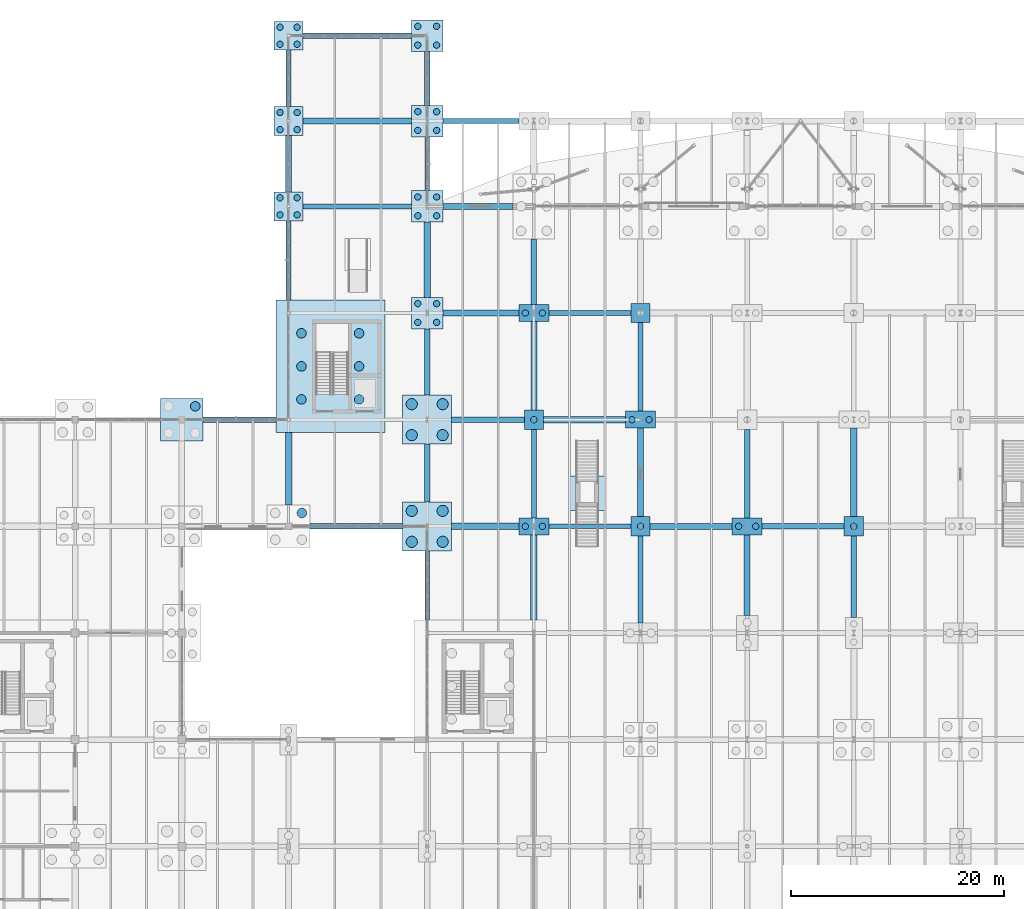
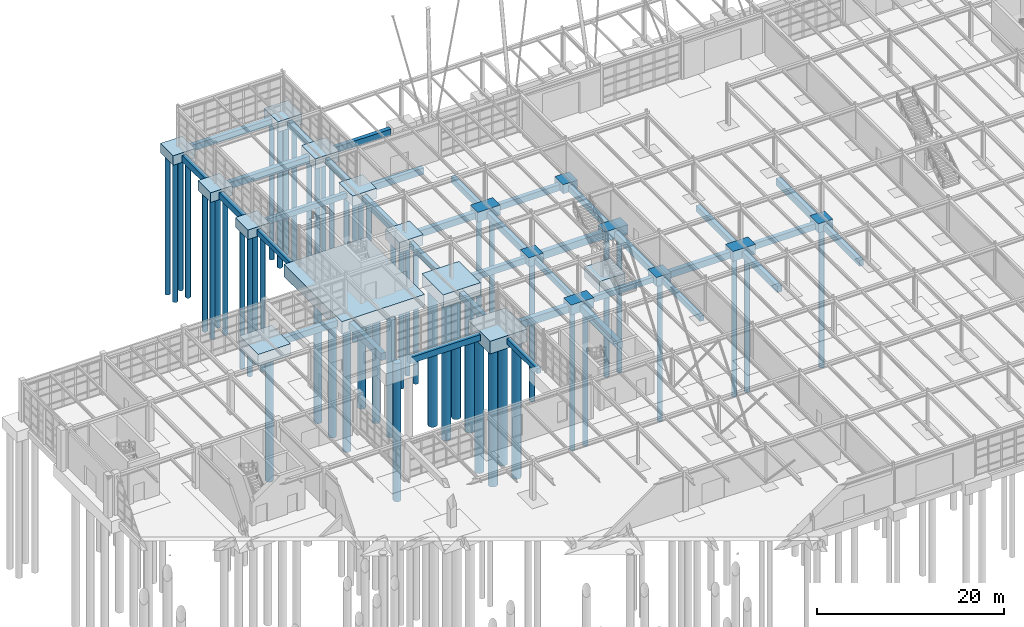
# One storey, part 5 of 145: 56 footings, 55 piles.
"""IFC4 building model written with IfcOpenShell, lengths in metres."""

from ifc_helpers import new_model, si_unit, direction, frame, origin, origin_2d, place, context, subcontext, project, spatial, rectangle, circle, extrude, material, material_profile, profile_set, type_object, element, save


model = new_model("IFC4")

# Units and contexts
model_context = context("Model", 3, precision=1e-05, world=origin(), true_north=direction((0.0, 1.0)))
body_context = subcontext(model_context, "Body", "Model", "MODEL_VIEW")
ifc_project = project(units=[si_unit("LENGTHUNIT", "METRE"), si_unit("AREAUNIT", "SQUARE_METRE"), si_unit("VOLUMEUNIT", "CUBIC_METRE"), si_unit("PLANEANGLEUNIT", "RADIAN"), si_unit("MASSUNIT", "GRAM", prefix="KILO"), si_unit("THERMODYNAMICTEMPERATUREUNIT", "KELVIN"), si_unit("POWERUNIT", "WATT")], contexts=[model_context])

# Site, building, storey
site_placement = place(None, origin())
site = spatial("IfcSite", under=ifc_project, at=site_placement, CompositionType="ELEMENT")
building_placement = place(site_placement, origin())
building = spatial("IfcBuilding", under=site, at=building_placement, Name="Korenveer Ferry Terminal", CompositionType="ELEMENT")
storey_placement = place(building_placement, origin())
storey = spatial("IfcBuildingStorey", under=building, at=storey_placement, Name="L00", CompositionType="ELEMENT", Elevation=0.0)

# Footings
ifc_material_1 = material(Name="Concrete C40/50", Category="concrete")
footing_type_1 = type_object("IfcFootingType", Name="STR-GB-01", PredefinedType="FOOTING_BEAM", material=ifc_material_1)
footing_1_placement = place(storey_placement, frame((46.35009765625, 70.0, -1.14990234375), z_axis=(0.0, 0.0, 1.0), x_axis=(1.0, 0.0, 0.0)))
element("IfcFooting", 1, at=footing_1_placement, inside=storey, type_object=footing_type_1, Name="Ground tie beam 96", PredefinedType="FOOTING_BEAM", context=body_context, shape_type="SweptSolid", body=[
    extrude(rectangle(XDim=8.699951171875, YDim=0.5, at=origin_2d()), origin(), (0.0, 0.0, 1.0), 0.800048828125),
])
footing_2_placement = place(storey_placement, frame((88.25, 70.0, -1.14990234375), z_axis=(0.0, 0.0, 1.0), x_axis=(1.0, 0.0, 0.0)))
element("IfcFooting", 2, at=footing_2_placement, inside=storey, type_object=footing_type_1, Name="Ground tie beam 100", PredefinedType="FOOTING_BEAM", context=body_context, shape_type="SweptSolid", body=[
    extrude(rectangle(XDim=7.699951171875, YDim=0.5, at=origin_2d()), origin(), (0.0, 0.0, 1.0), 0.800048828125),
])
footing_3_placement = place(storey_placement, frame((58.699951171875, 80.0, -1.14990234375), z_axis=(0.0, 0.0, 1.0), x_axis=(1.0, 0.0, 0.0)))
element("IfcFooting", 3, at=footing_3_placement, inside=storey, type_object=footing_type_1, Name="Ground tie beam 112", PredefinedType="FOOTING_BEAM", context=body_context, shape_type="SweptSolid", body=[
    extrude(rectangle(XDim=6.800048828125, YDim=0.5, at=origin_2d()), origin(), (0.0, 0.0, 1.0), 0.800048828125),
])
footing_4_placement = place(storey_placement, frame((68.25, 90.0, -1.14990234375), z_axis=(0.0, 0.0, 1.0), x_axis=(1.0, 0.0, 0.0)))
element("IfcFooting", 4, at=footing_4_placement, inside=storey, type_object=footing_type_1, Name="Ground tie beam 124", PredefinedType="FOOTING_BEAM", context=body_context, shape_type="SweptSolid", body=[
    extrude(rectangle(XDim=7.699951171875, YDim=0.5, at=origin_2d()), origin(), (0.0, 0.0, 1.0), 0.800048828125),
])
footing_5_placement = place(storey_placement, frame((58.03759765625, 108.0, -1.14990234375), z_axis=(0.0, 0.0, 1.0), x_axis=(1.0, 0.0, 0.0)))
element("IfcFooting", 5, at=footing_5_placement, inside=storey, type_object=footing_type_1, Name="Ground tie beam 140", PredefinedType="FOOTING_BEAM", context=body_context, shape_type="SweptSolid", body=[
    extrude(rectangle(XDim=7.125, YDim=0.5, at=origin_2d()), origin(), (0.0, 0.0, 1.0), 0.800048828125),
])
footing_6_placement = place(storey_placement, frame((46.4375, 116.0, -1.14990234375), z_axis=(0.0, 0.0, 1.0), x_axis=(1.0, 0.0, 0.0)))
element("IfcFooting", 6, at=footing_6_placement, inside=storey, type_object=footing_type_1, Name="Ground tie beam 148", PredefinedType="FOOTING_BEAM", context=body_context, shape_type="SweptSolid", body=[
    extrude(rectangle(XDim=10.175048828125, YDim=0.5, at=origin_2d()), origin(), (0.0, 0.0, 1.0), 0.800048828125),
])
footing_7_placement = place(storey_placement, frame((40.0, 112.0, -1.14990234375), z_axis=(0.0, 0.0, 1.0), x_axis=(1.0, 0.0, 0.0)))
element("IfcFooting", 7, at=footing_7_placement, inside=storey, type_object=footing_type_1, Name="Ground tie beam 184", PredefinedType="FOOTING_BEAM", context=body_context, shape_type="SweptSolid", body=[
    extrude(rectangle(XDim=0.5, YDim=5.300048828125, at=origin_2d()), origin(), (0.0, 0.0, 1.0), 0.800048828125),
])
footing_8_placement = place(storey_placement, frame((53.0, 85.41259765625, -1.14990234375), z_axis=(0.0, 0.0, 1.0), x_axis=(1.0, 0.0, 0.0)))
element("IfcFooting", 8, at=footing_8_placement, inside=storey, type_object=footing_type_1, Name="Ground tie beam 192", PredefinedType="FOOTING_BEAM", context=body_context, shape_type="SweptSolid", body=[
    extrude(rectangle(XDim=0.5, YDim=6.22509765625, at=origin_2d()), origin(), (0.0, 0.0, 1.0), 0.800048828125),
])
footing_9_placement = place(storey_placement, frame((63.0, 93.875, -1.14990234375), z_axis=(0.0, 0.0, 1.0), x_axis=(1.0, 0.0, 0.0)))
element("IfcFooting", 9, at=footing_9_placement, inside=storey, type_object=footing_type_1, Name="Ground tie beam 204", PredefinedType="FOOTING_BEAM", context=body_context, shape_type="SweptSolid", body=[
    extrude(rectangle(XDim=0.5, YDim=6.14990234375, at=origin_2d()), origin(), (0.0, 0.0, 1.0), 0.800048828125),
])
for number, where, z_axis, x_axis, name in (
    (10, (73.0, 84.949951171875, -1.14990234375), (0.0, 0.0, 1.0), (1.0, 0.0, 0.0), "Ground tie beam 212"),
    (11, (83.0, 74.949951171875, -1.14990234375), (0.0, 0.0, 1.0), (1.0, 0.0, 0.0), "Ground tie beam 220"),
):
    element("IfcFooting", number, at=place(storey_placement, frame(where, z_axis=z_axis, x_axis=x_axis)), inside=storey, type_object=footing_type_1, Name=name, PredefinedType="FOOTING_BEAM", context=body_context, shape_type="SweptSolid", body=[
        extrude(rectangle(XDim=0.5, YDim=8.300048828125, at=origin_2d()), origin(), (0.0, 0.0, 1.0), 0.800048828125),
    ])
footing_10_placement = place(storey_placement, frame((93.0, 65.27490234375, -1.14990234375), z_axis=(0.0, 0.0, 1.0), x_axis=(1.0, 0.0, 0.0)))
element("IfcFooting", 12, at=footing_10_placement, inside=storey, type_object=footing_type_1, Name="Ground tie beam 228", PredefinedType="FOOTING_BEAM", context=body_context, shape_type="SweptSolid", body=[
    extrude(rectangle(XDim=0.5, YDim=7.64990234375, at=origin_2d()), origin(), (0.0, 0.0, 1.0), 0.800048828125),
])
footing_type_2 = type_object("IfcFootingType", Name="STR-GB-02", PredefinedType="FOOTING_BEAM", material=ifc_material_1)
footing_11_placement = place(storey_placement, frame((58.449951171875, 70.0, -1.2998046875), z_axis=(0.0, 0.0, 1.0), x_axis=(1.0, 0.0, 0.0)))
element("IfcFooting", 13, at=footing_11_placement, inside=storey, type_object=footing_type_2, Name="Ground tie beam 97", PredefinedType="FOOTING_BEAM", context=body_context, shape_type="SweptSolid", body=[
    extrude(rectangle(XDim=6.300048828125, YDim=0.60009765625, at=origin_2d()), origin(), (0.0, 0.0, 1.0), 0.949951171875),
])
footing_12_placement = place(storey_placement, frame((67.75, 80.0, -1.2998046875), z_axis=(0.0, 0.0, 1.0), x_axis=(1.0, 0.0, 0.0)))
element("IfcFooting", 14, at=footing_12_placement, inside=storey, type_object=footing_type_2, Name="Ground tie beam 113", PredefinedType="FOOTING_BEAM", context=body_context, shape_type="SweptSolid", body=[
    extrude(rectangle(XDim=7.699951171875, YDim=0.60009765625, at=origin_2d()), origin(), (0.0, 0.0, 1.0), 0.949951171875),
])
footing_13_placement = place(storey_placement, frame((40.0, 75.39990234375, -1.2998046875), z_axis=(0.0, 0.0, 1.0), x_axis=(1.0, 0.0, 0.0)))
element("IfcFooting", 15, at=footing_13_placement, inside=storey, type_object=footing_type_2, Name="Ground tie beam 181", PredefinedType="FOOTING_BEAM", context=body_context, shape_type="SweptSolid", body=[
    extrude(rectangle(XDim=0.60009765625, YDim=6.800048828125, at=origin_2d()), origin(), (0.0, 0.0, 1.0), 0.949951171875),
])
footing_14_placement = place(storey_placement, frame((53.0, 95.0, -1.2998046875), z_axis=(0.0, 0.0, 1.0), x_axis=(1.0, 0.0, 0.0)))
element("IfcFooting", 16, at=footing_14_placement, inside=storey, type_object=footing_type_2, Name="Ground tie beam 193", PredefinedType="FOOTING_BEAM", context=body_context, shape_type="SweptSolid", body=[
    extrude(rectangle(XDim=0.60009765625, YDim=7.050048828125, at=origin_2d()), origin(), (0.0, 0.0, 1.0), 0.949951171875),
])
footing_15_placement = place(storey_placement, frame((63.0, 65.199951171875, -1.2998046875), z_axis=(0.0, 0.0, 1.0), x_axis=(1.0, 0.0, 0.0)))
element("IfcFooting", 17, at=footing_15_placement, inside=storey, type_object=footing_type_2, Name="Ground tie beam 201", PredefinedType="FOOTING_BEAM", context=body_context, shape_type="SweptSolid", body=[
    extrude(rectangle(XDim=0.60009765625, YDim=8.0, at=origin_2d()), origin(), (0.0, 0.0, 1.0), 0.949951171875),
])
footing_16_placement = place(storey_placement, frame((93.0, 75.050048828125, -1.2998046875), z_axis=(0.0, 0.0, 1.0), x_axis=(1.0, 0.0, 0.0)))
element("IfcFooting", 18, at=footing_16_placement, inside=storey, type_object=footing_type_2, Name="Ground tie beam 229", PredefinedType="FOOTING_BEAM", context=body_context, shape_type="SweptSolid", body=[
    extrude(rectangle(XDim=0.60009765625, YDim=8.300048828125, at=origin_2d()), origin(), (0.0, 0.0, 1.0), 0.949951171875),
])
footing_type_3 = type_object("IfcFootingType", Name="STR-GB-03", PredefinedType="FOOTING_BEAM", material=ifc_material_1)
footing_17_placement = place(storey_placement, frame((68.25, 70.0, -1.0498046875), z_axis=(0.0, 0.0, 1.0), x_axis=(1.0, 0.0, 0.0)))
element("IfcFooting", 19, at=footing_17_placement, inside=storey, type_object=footing_type_3, Name="Ground tie beam 98", PredefinedType="FOOTING_BEAM", context=body_context, shape_type="SweptSolid", body=[
    extrude(rectangle(XDim=7.699951171875, YDim=0.449951171875, at=origin_2d()), origin(), (0.0, 0.0, 1.0), 0.699951171875),
])
footing_18_placement = place(storey_placement, frame((46.4375, 100.0, -1.0498046875), z_axis=(0.0, 0.0, 1.0), x_axis=(1.0, 0.0, 0.0)))
element("IfcFooting", 20, at=footing_18_placement, inside=storey, type_object=footing_type_3, Name="Ground tie beam 130", PredefinedType="FOOTING_BEAM", context=body_context, shape_type="SweptSolid", body=[
    extrude(rectangle(XDim=10.175048828125, YDim=0.449951171875, at=origin_2d()), origin(), (0.0, 0.0, 1.0), 0.699951171875),
])
footing_19_placement = place(storey_placement, frame((40.0, 94.925048828125, -1.0498046875), z_axis=(0.0, 0.0, 1.0), x_axis=(1.0, 0.0, 0.0)))
element("IfcFooting", 21, at=footing_19_placement, inside=storey, type_object=footing_type_3, Name="Ground tie beam 182", PredefinedType="FOOTING_BEAM", context=body_context, shape_type="SweptSolid", body=[
    extrude(rectangle(XDim=0.449951171875, YDim=7.449951171875, at=origin_2d()), origin(), (0.0, 0.0, 1.0), 0.699951171875),
])
footing_20_placement = place(storey_placement, frame((53.0, 64.449951171875, -1.0498046875), z_axis=(0.0, 0.0, 1.0), x_axis=(1.0, 0.0, 0.0)))
element("IfcFooting", 22, at=footing_20_placement, inside=storey, type_object=footing_type_3, Name="Ground tie beam 190", PredefinedType="FOOTING_BEAM", context=body_context, shape_type="SweptSolid", body=[
    extrude(rectangle(XDim=0.449951171875, YDim=6.5, at=origin_2d()), origin(), (0.0, 0.0, 1.0), 0.699951171875),
])
footing_21_placement = place(storey_placement, frame((53.0, 104.0, -1.0498046875), z_axis=(0.0, 0.0, 1.0), x_axis=(1.0, 0.0, 0.0)))
element("IfcFooting", 23, at=footing_21_placement, inside=storey, type_object=footing_type_3, Name="Ground tie beam 194", PredefinedType="FOOTING_BEAM", context=body_context, shape_type="SweptSolid", body=[
    extrude(rectangle(XDim=0.449951171875, YDim=5.050048828125, at=origin_2d()), origin(), (0.0, 0.0, 1.0), 0.699951171875),
])
footing_22_placement = place(storey_placement, frame((63.0, 74.949951171875, -1.0498046875), z_axis=(0.0, 0.0, 1.0), x_axis=(1.0, 0.0, 0.0)))
element("IfcFooting", 24, at=footing_22_placement, inside=storey, type_object=footing_type_3, Name="Ground tie beam 202", PredefinedType="FOOTING_BEAM", context=body_context, shape_type="SweptSolid", body=[
    extrude(rectangle(XDim=0.449951171875, YDim=8.300048828125, at=origin_2d()), origin(), (0.0, 0.0, 1.0), 0.699951171875),
])
footing_23_placement = place(storey_placement, frame((73.0, 65.02490234375, -1.0498046875), z_axis=(0.0, 0.0, 1.0), x_axis=(1.0, 0.0, 0.0)))
element("IfcFooting", 25, at=footing_23_placement, inside=storey, type_object=footing_type_3, Name="Ground tie beam 210", PredefinedType="FOOTING_BEAM", context=body_context, shape_type="SweptSolid", body=[
    extrude(rectangle(XDim=0.449951171875, YDim=8.14990234375, at=origin_2d()), origin(), (0.0, 0.0, 1.0), 0.699951171875),
])
footing_type_4 = type_object("IfcFootingType", Name="STR-GB-04", PredefinedType="FOOTING_BEAM", material=ifc_material_1)
footing_24_placement = place(storey_placement, frame((77.75, 70.0, -1.199951171875), z_axis=(0.0, 0.0, 1.0), x_axis=(1.0, 0.0, 0.0)))
element("IfcFooting", 26, at=footing_24_placement, inside=storey, type_object=footing_type_4, Name="Ground tie beam 99", PredefinedType="FOOTING_BEAM", context=body_context, shape_type="SweptSolid", body=[
    extrude(rectangle(XDim=7.699951171875, YDim=0.550048828125, at=origin_2d()), origin(), (0.0, 0.0, 1.0), 0.85009765625),
])
footing_25_placement = place(storey_placement, frame((35.39990234375, 80.0, -1.199951171875), z_axis=(0.0, 0.0, 1.0), x_axis=(1.0, 0.0, 0.0)))
element("IfcFooting", 27, at=footing_25_placement, inside=storey, type_object=footing_type_4, Name="Ground tie beam 111", PredefinedType="FOOTING_BEAM", context=body_context, shape_type="SweptSolid", body=[
    extrude(rectangle(XDim=6.800048828125, YDim=0.550048828125, at=origin_2d()), origin(), (0.0, 0.0, 1.0), 0.85009765625),
])
footing_26_placement = place(storey_placement, frame((58.03759765625, 90.0, -1.199951171875), z_axis=(0.0, 0.0, 1.0), x_axis=(1.0, 0.0, 0.0)))
element("IfcFooting", 28, at=footing_26_placement, inside=storey, type_object=footing_type_4, Name="Ground tie beam 123", PredefinedType="FOOTING_BEAM", context=body_context, shape_type="SweptSolid", body=[
    extrude(rectangle(XDim=7.125, YDim=0.550048828125, at=origin_2d()), origin(), (0.0, 0.0, 1.0), 0.85009765625),
])
footing_27_placement = place(storey_placement, frame((57.762451171875, 100.0, -1.199951171875), z_axis=(0.0, 0.0, 1.0), x_axis=(1.0, 0.0, 0.0)))
element("IfcFooting", 29, at=footing_27_placement, inside=storey, type_object=footing_type_4, Name="Ground tie beam 131", PredefinedType="FOOTING_BEAM", context=body_context, shape_type="SweptSolid", body=[
    extrude(rectangle(XDim=6.574951171875, YDim=0.550048828125, at=origin_2d()), origin(), (0.0, 0.0, 1.0), 0.85009765625),
])
footing_28_placement = place(storey_placement, frame((46.4375, 108.0, -1.199951171875), z_axis=(0.0, 0.0, 1.0), x_axis=(1.0, 0.0, 0.0)))
element("IfcFooting", 30, at=footing_28_placement, inside=storey, type_object=footing_type_4, Name="Ground tie beam 139", PredefinedType="FOOTING_BEAM", context=body_context, shape_type="SweptSolid", body=[
    extrude(rectangle(XDim=10.175048828125, YDim=0.550048828125, at=origin_2d()), origin(), (0.0, 0.0, 1.0), 0.85009765625),
])
footing_29_placement = place(storey_placement, frame((40.0, 104.0, -1.199951171875), z_axis=(0.0, 0.0, 1.0), x_axis=(1.0, 0.0, 0.0)))
element("IfcFooting", 31, at=footing_29_placement, inside=storey, type_object=footing_type_4, Name="Ground tie beam 183", PredefinedType="FOOTING_BEAM", context=body_context, shape_type="SweptSolid", body=[
    extrude(rectangle(XDim=0.550048828125, YDim=5.300048828125, at=origin_2d()), origin(), (0.0, 0.0, 1.0), 0.85009765625),
])
footing_30_placement = place(storey_placement, frame((53.0, 75.0, -1.199951171875), z_axis=(0.0, 0.0, 1.0), x_axis=(1.0, 0.0, 0.0)))
element("IfcFooting", 32, at=footing_30_placement, inside=storey, type_object=footing_type_4, Name="Ground tie beam 191", PredefinedType="FOOTING_BEAM", context=body_context, shape_type="SweptSolid", body=[
    extrude(rectangle(XDim=0.550048828125, YDim=5.39990234375, at=origin_2d()), origin(), (0.0, 0.0, 1.0), 0.85009765625),
])
footing_31_placement = place(storey_placement, frame((53.0, 112.0, -1.199951171875), z_axis=(0.0, 0.0, 1.0), x_axis=(1.0, 0.0, 0.0)))
element("IfcFooting", 33, at=footing_31_placement, inside=storey, type_object=footing_type_4, Name="Ground tie beam 195", PredefinedType="FOOTING_BEAM", context=body_context, shape_type="SweptSolid", body=[
    extrude(rectangle(XDim=0.550048828125, YDim=5.050048828125, at=origin_2d()), origin(), (0.0, 0.0, 1.0), 0.85009765625),
])
for number, where, z_axis, x_axis, name in (
    (34, (63.0, 85.050048828125, -1.199951171875), (0.0, 0.0, 1.0), (1.0, 0.0, 0.0), "Ground tie beam 203"),
    (35, (73.0, 75.050048828125, -1.199951171875), (0.0, 0.0, 1.0), (1.0, 0.0, 0.0), "Ground tie beam 211"),
):
    element("IfcFooting", number, at=place(storey_placement, frame(where, z_axis=z_axis, x_axis=x_axis)), inside=storey, type_object=footing_type_4, Name=name, PredefinedType="FOOTING_BEAM", context=body_context, shape_type="SweptSolid", body=[
        extrude(rectangle(XDim=0.550048828125, YDim=8.300048828125, at=origin_2d()), origin(), (0.0, 0.0, 1.0), 0.85009765625),
    ])
footing_32_placement = place(storey_placement, frame((83.0, 65.425048828125, -1.199951171875), z_axis=(0.0, 0.0, 1.0), x_axis=(1.0, 0.0, 0.0)))
element("IfcFooting", 36, at=footing_32_placement, inside=storey, type_object=footing_type_4, Name="Ground tie beam 219", PredefinedType="FOOTING_BEAM", context=body_context, shape_type="SweptSolid", body=[
    extrude(rectangle(XDim=0.550048828125, YDim=7.550048828125, at=origin_2d()), origin(), (0.0, 0.0, 1.0), 0.85009765625),
])
ifc_material_2 = material(Name="Concrete C45/55", Category="concrete")
footing_type_5 = type_object("IfcFootingType", Name="STR-PC-01", PredefinedType="PILE_CAP", material=ifc_material_2)
for number, where, z_axis, x_axis, name in (
    (37, (63.0, 80.0, -1.2001953125), (0.0, 0.0, 1.0), (1.0, 0.0, 0.0), "Pile cap PC-01 at (63,80)"),
    (38, (73.0, 70.0, -1.2001953125), (0.0, 0.0, 1.0), (1.0, 0.0, 0.0), "Pile cap PC-01 at (73,70)"),
    (39, (73.0, 90.0, -1.2001953125), (0.0, 0.0, 1.0), (1.0, 0.0, 0.0), "Pile cap PC-01 at (73,90)"),
    (40, (93.0, 70.0, -1.2001953125), (0.0, 0.0, 1.0), (1.0, 0.0, 0.0), "Pile cap PC-01 at (93,70)"),
):
    element("IfcFooting", number, at=place(storey_placement, frame(where, z_axis=z_axis, x_axis=x_axis)), inside=storey, type_object=footing_type_5, Name=name, PredefinedType="PILE_CAP", context=body_context, shape_type="SweptSolid", body=[
        extrude(rectangle(XDim=1.800048828125, YDim=1.800048828125, at=origin_2d()), origin(), (0.0, 0.0, 1.0), 1.199951171875),
    ])
footing_type_6 = type_object("IfcFootingType", Name="STR-PC-02", PredefinedType="PILE_CAP", material=ifc_material_2)
for number, where, z_axis, x_axis, name in (
    (41, (63.0, 70.0, -1.2998046875), (0.0, 0.0, 1.0), (1.0, 0.0, 0.0), "Pile cap PC-02 at (63,70)"),
    (42, (63.0, 90.0, -1.2998046875), (0.0, 0.0, 1.0), (1.0, 0.0, 0.0), "Pile cap PC-02 at (63,90)"),
    (43, (73.0, 80.0, -1.2998046875), (0.0, 0.0, 1.0), (1.0, 0.0, 0.0), "Pile cap PC-02 at (73,80)"),
    (44, (83.0, 70.0, -1.2998046875), (0.0, 0.0, 1.0), (1.0, 0.0, 0.0), "Pile cap PC-02 at (83,70)"),
):
    element("IfcFooting", number, at=place(storey_placement, frame(where, z_axis=z_axis, x_axis=x_axis)), inside=storey, type_object=footing_type_6, Name=name, PredefinedType="PILE_CAP", context=body_context, shape_type="SweptSolid", body=[
        extrude(rectangle(XDim=2.800048828125, YDim=1.60009765625, at=origin_2d()), origin(), (0.0, 0.0, 1.0), 1.300048828125),
    ])
footing_type_7 = type_object("IfcFootingType", Name="STR-PC-06", PredefinedType="PILE_CAP", material=ifc_material_2)
footing_33_placement = place(storey_placement, frame((68.0, 73.10009765625, -1.39990234375), z_axis=(0.0, 0.0, 1.0), x_axis=(1.0, 0.0, 0.0)))
element("IfcFooting", 45, at=footing_33_placement, inside=storey, type_object=footing_type_7, Name="Feature stair landing cap 1", PredefinedType="PILE_CAP", context=body_context, shape_type="SweptSolid", body=[
    extrude(rectangle(XDim=3.199951171875, YDim=3.199951171875, at=origin_2d()), origin(), (0.0, 0.0, 1.0), 1.39990234375),
])
footing_type_8 = type_object("IfcFootingType", Name="STR-PC-09", PredefinedType="PILE_CAP", material=ifc_material_2)
footing_34_placement = place(storey_placement, frame((30.0, 80.0, -1.5498046875), z_axis=(0.0, 0.0, 1.0), x_axis=(1.0, 0.0, 0.0)))
element("IfcFooting", 46, at=footing_34_placement, inside=storey, type_object=footing_type_8, Name="Pile cap PC-09 at (30,80)", PredefinedType="PILE_CAP", context=body_context, shape_type="SweptSolid", body=[
    extrude(rectangle(XDim=4.0, YDim=4.0, at=origin_2d()), origin(), (0.0, 0.0, 1.0), 1.550048828125),
])
footing_type_9 = type_object("IfcFootingType", Name="STR-PC-15", PredefinedType="PILE_CAP", material=ifc_material_2)
for number, where, z_axis, x_axis, name in (
    (47, (53.0, 70.0, -1.64990234375), (0.0, 0.0, 1.0), (1.0, 0.0, 0.0), "Pile cap PC-15 at (53,70)"),
    (48, (53.0, 80.0, -1.64990234375), (0.0, 0.0, 1.0), (1.0, 0.0, 0.0), "Pile cap PC-15 at (53,80)"),
):
    element("IfcFooting", number, at=place(storey_placement, frame(where, z_axis=z_axis, x_axis=x_axis)), inside=storey, type_object=footing_type_9, Name=name, PredefinedType="PILE_CAP", context=body_context, shape_type="SweptSolid", body=[
        extrude(rectangle(XDim=4.60009765625, YDim=4.60009765625, at=origin_2d()), origin(), (0.0, 0.0, 1.0), 1.64990234375),
    ])
footing_type_10 = type_object("IfcFootingType", Name="STR-PC-17", PredefinedType="PILE_CAP", material=ifc_material_2)
for number, where, z_axis, x_axis, name in (
    (49, (40.0, 100.0, -1.25), (0.0, 0.0, 1.0), (1.0, 0.0, 0.0), "Pile cap PC-17 at (40,100)"),
    (50, (40.0, 108.0, -1.25), (0.0, 0.0, 1.0), (1.0, 0.0, 0.0), "Pile cap PC-17 at (40,108)"),
    (51, (40.0, 116.0, -1.25), (0.0, 0.0, 1.0), (1.0, 0.0, 0.0), "Pile cap PC-17 at (40,116)"),
):
    element("IfcFooting", number, at=place(storey_placement, frame(where, z_axis=z_axis, x_axis=x_axis)), inside=storey, type_object=footing_type_10, Name=name, PredefinedType="PILE_CAP", context=body_context, shape_type="SweptSolid", body=[
        extrude(rectangle(XDim=2.699951171875, YDim=2.699951171875, at=origin_2d()), origin(), (0.0, 0.0, 1.0), 1.25),
    ])
footing_type_11 = type_object("IfcFootingType", Name="STR-PC-18", PredefinedType="PILE_CAP", material=ifc_material_2)
for number, where, z_axis, x_axis, name in (
    (52, (53.0, 90.0, -1.35009765625), (0.0, 0.0, 1.0), (1.0, 0.0, 0.0), "Pile cap PC-18 at (53,90)"),
    (53, (53.0, 100.0, -1.35009765625), (0.0, 0.0, 1.0), (1.0, 0.0, 0.0), "Pile cap PC-18 at (53,100)"),
    (54, (53.0, 108.0, -1.35009765625), (0.0, 0.0, 1.0), (1.0, 0.0, 0.0), "Pile cap PC-18 at (53,108)"),
    (55, (53.0, 116.0, -1.35009765625), (0.0, 0.0, 1.0), (1.0, 0.0, 0.0), "Pile cap PC-18 at (53,116)"),
):
    element("IfcFooting", number, at=place(storey_placement, frame(where, z_axis=z_axis, x_axis=x_axis)), inside=storey, type_object=footing_type_11, Name=name, PredefinedType="PILE_CAP", context=body_context, shape_type="SweptSolid", body=[
        extrude(rectangle(XDim=2.949951171875, YDim=2.949951171875, at=origin_2d()), origin(), (0.0, 0.0, 1.0), 1.35009765625),
    ])
footing_type_12 = type_object("IfcFootingType", Name="STR-PC-MAT-K7", PredefinedType="PILE_CAP", material=ifc_material_2)
footing_35_placement = place(storey_placement, frame((43.909912109375, 85.0, -1.60009765625), z_axis=(0.0, 0.0, 1.0), x_axis=(1.0, 0.0, 0.0)))
element("IfcFooting", 56, at=footing_35_placement, inside=storey, type_object=footing_type_12, Name="Core pile cap mat K7", PredefinedType="PILE_CAP", context=body_context, shape_type="SweptSolid", body=[
    extrude(rectangle(XDim=10.219970703125, YDim=12.39990234375, at=origin_2d()), origin(), (0.0, 0.0, 1.0), 1.60009765625),
])

# Piles
ifc_material_profile_1 = material_profile(ifc_material_1, circle(Radius=0.52490234375, at=origin_2d()), Name="PILE D1050")
ifc_profile_set_1 = profile_set([ifc_material_profile_1], Name="Concrete C40/50")
pile_type_1 = type_object("IfcPileType", Name="STR-PL-D1050", PredefinedType="BORED", material=ifc_profile_set_1)
for number, where, z_axis, x_axis, name in (
    (57, (51.550048828125, 68.550048828125, -1.550048828125), (0.0, 0.0, -1.0), (1.0, 0.0, 0.0), "Foundation pile 209"),
    (58, (54.449951171875, 68.550048828125, -1.550048828125), (0.0, 0.0, -1.0), (1.0, 0.0, 0.0), "Foundation pile 210"),
    (59, (51.550048828125, 71.449951171875, -1.550048828125), (0.0, 0.0, -1.0), (1.0, 0.0, 0.0), "Foundation pile 211"),
    (60, (54.449951171875, 71.449951171875, -1.550048828125), (0.0, 0.0, -1.0), (1.0, 0.0, 0.0), "Foundation pile 212"),
    (61, (51.550048828125, 78.550048828125, -1.550048828125), (0.0, 0.0, -1.0), (1.0, 0.0, 0.0), "Foundation pile 213"),
    (62, (54.449951171875, 78.550048828125, -1.550048828125), (0.0, 0.0, -1.0), (1.0, 0.0, 0.0), "Foundation pile 214"),
    (63, (51.550048828125, 81.449951171875, -1.550048828125), (0.0, 0.0, -1.0), (1.0, 0.0, 0.0), "Foundation pile 215"),
    (64, (54.449951171875, 81.449951171875, -1.550048828125), (0.0, 0.0, -1.0), (1.0, 0.0, 0.0), "Foundation pile 216"),
):
    element("IfcPile", number, at=place(storey_placement, frame(where, z_axis=z_axis, x_axis=x_axis)), inside=storey, type_object=pile_type_1, Name=name, PredefinedType="BORED", context=body_context, shape_type="SweptSolid", body=[
        extrude(circle(Radius=0.52490234375, at=origin_2d()), origin(), (0.0, 0.0, 1.0), 17.949951171875),
    ])
ifc_material_profile_2 = material_profile(ifc_material_1, circle(Radius=0.300048828125, at=origin_2d()), Name="PILE D600")
ifc_profile_set_2 = profile_set([ifc_material_profile_2], Name="Concrete C40/50")
pile_type_2 = type_object("IfcPileType", Name="STR-PL-D600", PredefinedType="DRIVEN", material=ifc_profile_set_2)
for number, where, z_axis, x_axis, name in (
    (65, (39.199951171875, 99.199951171875, -1.14990234375), (0.0, 0.0, -1.0), (1.0, 0.0, 0.0), "Foundation pile 184"),
    (66, (40.800048828125, 99.199951171875, -1.14990234375), (0.0, 0.0, -1.0), (1.0, 0.0, 0.0), "Foundation pile 185"),
    (67, (39.199951171875, 100.800048828125, -1.14990234375), (0.0, 0.0, -1.0), (1.0, 0.0, 0.0), "Foundation pile 186"),
    (68, (40.800048828125, 100.800048828125, -1.14990234375), (0.0, 0.0, -1.0), (1.0, 0.0, 0.0), "Foundation pile 187"),
    (69, (39.199951171875, 107.199951171875, -1.14990234375), (0.0, 0.0, -1.0), (1.0, 0.0, 0.0), "Foundation pile 188"),
    (70, (40.800048828125, 107.199951171875, -1.14990234375), (0.0, 0.0, -1.0), (1.0, 0.0, 0.0), "Foundation pile 189"),
    (71, (39.199951171875, 108.800048828125, -1.14990234375), (0.0, 0.0, -1.0), (1.0, 0.0, 0.0), "Foundation pile 190"),
    (72, (40.800048828125, 108.800048828125, -1.14990234375), (0.0, 0.0, -1.0), (1.0, 0.0, 0.0), "Foundation pile 191"),
    (73, (39.199951171875, 115.199951171875, -1.14990234375), (0.0, 0.0, -1.0), (1.0, 0.0, 0.0), "Foundation pile 192"),
    (74, (40.800048828125, 115.199951171875, -1.14990234375), (0.0, 0.0, -1.0), (1.0, 0.0, 0.0), "Foundation pile 193"),
    (75, (39.199951171875, 116.800048828125, -1.14990234375), (0.0, 0.0, -1.0), (1.0, 0.0, 0.0), "Foundation pile 194"),
    (76, (40.800048828125, 116.800048828125, -1.14990234375), (0.0, 0.0, -1.0), (1.0, 0.0, 0.0), "Foundation pile 195"),
):
    element("IfcPile", number, at=place(storey_placement, frame(where, z_axis=z_axis, x_axis=x_axis)), inside=storey, type_object=pile_type_2, Name=name, PredefinedType="DRIVEN", context=body_context, shape_type="SweptSolid", body=[
        extrude(circle(Radius=0.300048828125, at=origin_2d()), origin(), (0.0, 0.0, 1.0), 18.35009765625),
    ])
for number, where, z_axis, x_axis, name in (
    (77, (52.1201171875, 89.1201171875, -1.25), (0.0, 0.0, -1.0), (1.0, 0.0, 0.0), "Foundation pile 217"),
    (78, (53.8798828125, 89.1201171875, -1.25), (0.0, 0.0, -1.0), (1.0, 0.0, 0.0), "Foundation pile 218"),
    (79, (52.1201171875, 90.8798828125, -1.25), (0.0, 0.0, -1.0), (1.0, 0.0, 0.0), "Foundation pile 219"),
    (80, (53.8798828125, 90.8798828125, -1.25), (0.0, 0.0, -1.0), (1.0, 0.0, 0.0), "Foundation pile 220"),
    (81, (52.1201171875, 99.1201171875, -1.25), (0.0, 0.0, -1.0), (1.0, 0.0, 0.0), "Foundation pile 221"),
    (82, (53.8798828125, 99.1201171875, -1.25), (0.0, 0.0, -1.0), (1.0, 0.0, 0.0), "Foundation pile 222"),
    (83, (52.1201171875, 100.8798828125, -1.25), (0.0, 0.0, -1.0), (1.0, 0.0, 0.0), "Foundation pile 223"),
    (84, (53.8798828125, 100.8798828125, -1.25), (0.0, 0.0, -1.0), (1.0, 0.0, 0.0), "Foundation pile 224"),
    (85, (52.1201171875, 107.1201171875, -1.25), (0.0, 0.0, -1.0), (1.0, 0.0, 0.0), "Foundation pile 225"),
    (86, (53.8798828125, 107.1201171875, -1.25), (0.0, 0.0, -1.0), (1.0, 0.0, 0.0), "Foundation pile 226"),
    (87, (52.1201171875, 108.8798828125, -1.25), (0.0, 0.0, -1.0), (1.0, 0.0, 0.0), "Foundation pile 227"),
    (88, (53.8798828125, 108.8798828125, -1.25), (0.0, 0.0, -1.0), (1.0, 0.0, 0.0), "Foundation pile 228"),
    (89, (52.1201171875, 115.1201171875, -1.25), (0.0, 0.0, -1.0), (1.0, 0.0, 0.0), "Foundation pile 229"),
    (90, (53.8798828125, 115.1201171875, -1.25), (0.0, 0.0, -1.0), (1.0, 0.0, 0.0), "Foundation pile 230"),
    (91, (52.1201171875, 116.8798828125, -1.25), (0.0, 0.0, -1.0), (1.0, 0.0, 0.0), "Foundation pile 231"),
    (92, (53.8798828125, 116.8798828125, -1.25), (0.0, 0.0, -1.0), (1.0, 0.0, 0.0), "Foundation pile 232"),
):
    element("IfcPile", number, at=place(storey_placement, frame(where, z_axis=z_axis, x_axis=x_axis)), inside=storey, type_object=pile_type_2, Name=name, PredefinedType="DRIVEN", context=body_context, shape_type="SweptSolid", body=[
        extrude(circle(Radius=0.300048828125, at=origin_2d()), origin(), (0.0, 0.0, 1.0), 18.25),
    ])
for number, where, z_axis, x_axis, name in (
    (93, (62.199951171875, 70.0, -1.199951171875), (0.0, 0.0, -1.0), (1.0, 0.0, 0.0), "Foundation pile 242"),
    (94, (63.800048828125, 70.0, -1.199951171875), (0.0, 0.0, -1.0), (1.0, 0.0, 0.0), "Foundation pile 243"),
):
    element("IfcPile", number, at=place(storey_placement, frame(where, z_axis=z_axis, x_axis=x_axis)), inside=storey, type_object=pile_type_2, Name=name, PredefinedType="DRIVEN", context=body_context, shape_type="SweptSolid", body=[
        extrude(circle(Radius=0.300048828125, at=origin_2d()), origin(), (0.0, 0.0, 1.0), 18.300048828125),
    ])
pile_1_placement = place(storey_placement, frame((63.0, 80.0, -1.10009765625), z_axis=(0.0, 0.0, -1.0), x_axis=(1.0, 0.0, 0.0)))
element("IfcPile", 95, at=pile_1_placement, inside=storey, type_object=pile_type_2, Name="Foundation pile 244", PredefinedType="DRIVEN", context=body_context, shape_type="SweptSolid", body=[
    extrude(circle(Radius=0.300048828125, at=origin_2d()), origin(), (0.0, 0.0, 1.0), 18.39990234375),
])
for number, where, z_axis, x_axis, name in (
    (96, (62.199951171875, 90.0, -1.199951171875), (0.0, 0.0, -1.0), (1.0, 0.0, 0.0), "Foundation pile 245"),
    (97, (63.800048828125, 90.0, -1.199951171875), (0.0, 0.0, -1.0), (1.0, 0.0, 0.0), "Foundation pile 246"),
):
    element("IfcPile", number, at=place(storey_placement, frame(where, z_axis=z_axis, x_axis=x_axis)), inside=storey, type_object=pile_type_2, Name=name, PredefinedType="DRIVEN", context=body_context, shape_type="SweptSolid", body=[
        extrude(circle(Radius=0.300048828125, at=origin_2d()), origin(), (0.0, 0.0, 1.0), 18.300048828125),
    ])
pile_2_placement = place(storey_placement, frame((73.0, 70.0, -1.10009765625), z_axis=(0.0, 0.0, -1.0), x_axis=(1.0, 0.0, 0.0)))
element("IfcPile", 98, at=pile_2_placement, inside=storey, type_object=pile_type_2, Name="Foundation pile 267", PredefinedType="DRIVEN", context=body_context, shape_type="SweptSolid", body=[
    extrude(circle(Radius=0.300048828125, at=origin_2d()), origin(), (0.0, 0.0, 1.0), 18.39990234375),
])
for number, where, z_axis, x_axis, name in (
    (99, (72.199951171875, 80.0, -1.199951171875), (0.0, 0.0, -1.0), (1.0, 0.0, 0.0), "Foundation pile 268"),
    (100, (73.800048828125, 80.0, -1.199951171875), (0.0, 0.0, -1.0), (1.0, 0.0, 0.0), "Foundation pile 269"),
    (101, (82.199951171875, 70.0, -1.199951171875), (0.0, 0.0, -1.0), (1.0, 0.0, 0.0), "Foundation pile 290"),
    (102, (83.800048828125, 70.0, -1.199951171875), (0.0, 0.0, -1.0), (1.0, 0.0, 0.0), "Foundation pile 291"),
):
    element("IfcPile", number, at=place(storey_placement, frame(where, z_axis=z_axis, x_axis=x_axis)), inside=storey, type_object=pile_type_2, Name=name, PredefinedType="DRIVEN", context=body_context, shape_type="SweptSolid", body=[
        extrude(circle(Radius=0.300048828125, at=origin_2d()), origin(), (0.0, 0.0, 1.0), 18.300048828125),
    ])
pile_3_placement = place(storey_placement, frame((93.0, 70.0, -1.10009765625), z_axis=(0.0, 0.0, -1.0), x_axis=(1.0, 0.0, 0.0)))
element("IfcPile", 103, at=pile_3_placement, inside=storey, type_object=pile_type_2, Name="Foundation pile 315", PredefinedType="DRIVEN", context=body_context, shape_type="SweptSolid", body=[
    extrude(circle(Radius=0.300048828125, at=origin_2d()), origin(), (0.0, 0.0, 1.0), 18.39990234375),
])
ifc_material_profile_3 = material_profile(ifc_material_1, circle(Radius=0.449951171875, at=origin_2d()), Name="PILE D900")
ifc_profile_set_3 = profile_set([ifc_material_profile_3], Name="Concrete C40/50")
pile_type_3 = type_object("IfcPileType", Name="STR-PL-D900", PredefinedType="BORED", material=ifc_profile_set_3)
for number, where, z_axis, x_axis, name in (
    (104, (41.2099609375, 81.89990234375, -1.5), (0.0, 0.0, -1.0), (1.0, 0.0, 0.0), "Core foundation pile 37"),
    (105, (46.610107421875, 81.89990234375, -1.5), (0.0, 0.0, -1.0), (1.0, 0.0, 0.0), "Core foundation pile 38"),
    (106, (41.2099609375, 85.0, -1.5), (0.0, 0.0, -1.0), (1.0, 0.0, 0.0), "Core foundation pile 39"),
    (107, (46.610107421875, 85.0, -1.5), (0.0, 0.0, -1.0), (1.0, 0.0, 0.0), "Core foundation pile 40"),
    (108, (41.2099609375, 88.10009765625, -1.5), (0.0, 0.0, -1.0), (1.0, 0.0, 0.0), "Core foundation pile 41"),
    (109, (46.610107421875, 88.10009765625, -1.5), (0.0, 0.0, -1.0), (1.0, 0.0, 0.0), "Core foundation pile 42"),
):
    element("IfcPile", number, at=place(storey_placement, frame(where, z_axis=z_axis, x_axis=x_axis)), inside=storey, type_object=pile_type_3, Name=name, PredefinedType="BORED", context=body_context, shape_type="SweptSolid", body=[
        extrude(circle(Radius=0.449951171875, at=origin_2d()), origin(), (0.0, 0.0, 1.0), 18.0),
    ])
for number, where, z_axis, x_axis, name in (
    (110, (31.25, 81.25, -1.449951171875), (0.0, 0.0, -1.0), (1.0, 0.0, 0.0), "Foundation pile 172"),
    (111, (41.25, 71.25, -1.449951171875), (0.0, 0.0, -1.0), (1.0, 0.0, 0.0), "Foundation pile 183"),
):
    element("IfcPile", number, at=place(storey_placement, frame(where, z_axis=z_axis, x_axis=x_axis)), inside=storey, type_object=pile_type_3, Name=name, PredefinedType="BORED", context=body_context, shape_type="SweptSolid", body=[
        extrude(circle(Radius=0.449951171875, at=origin_2d()), origin(), (0.0, 0.0, 1.0), 18.050048828125),
    ])

save(model, "model.ifc")
